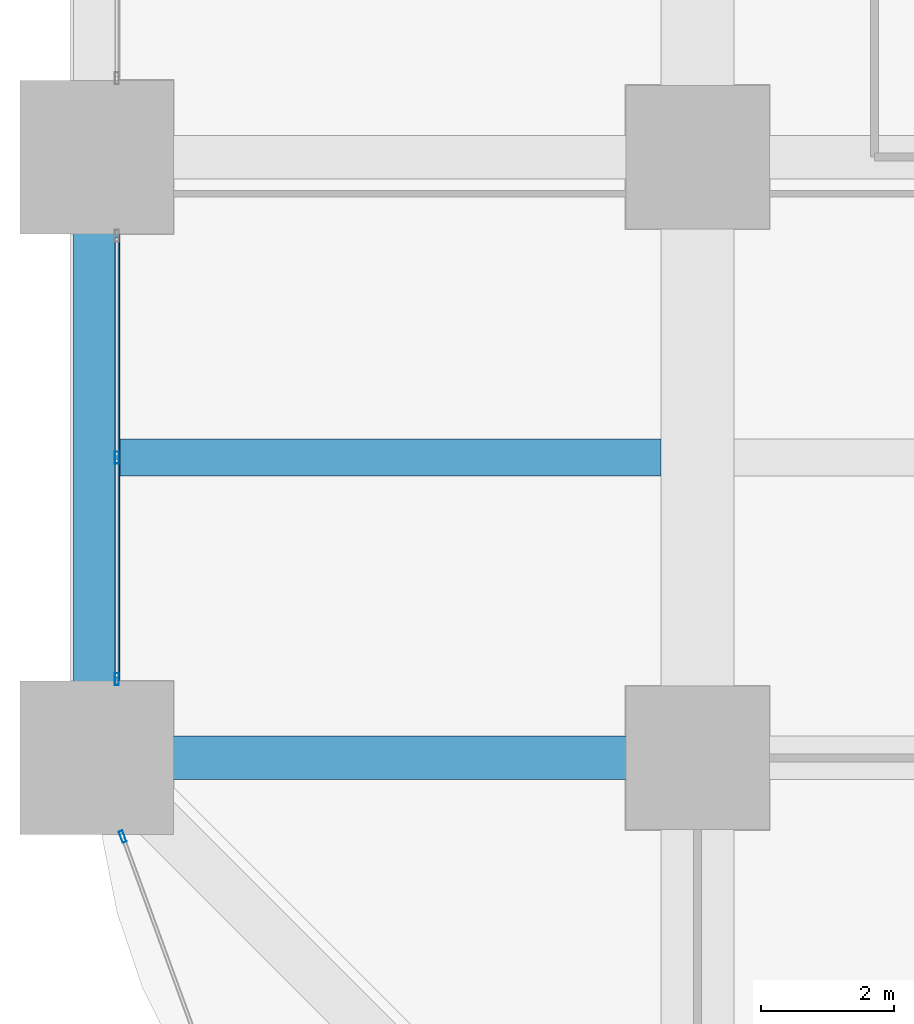
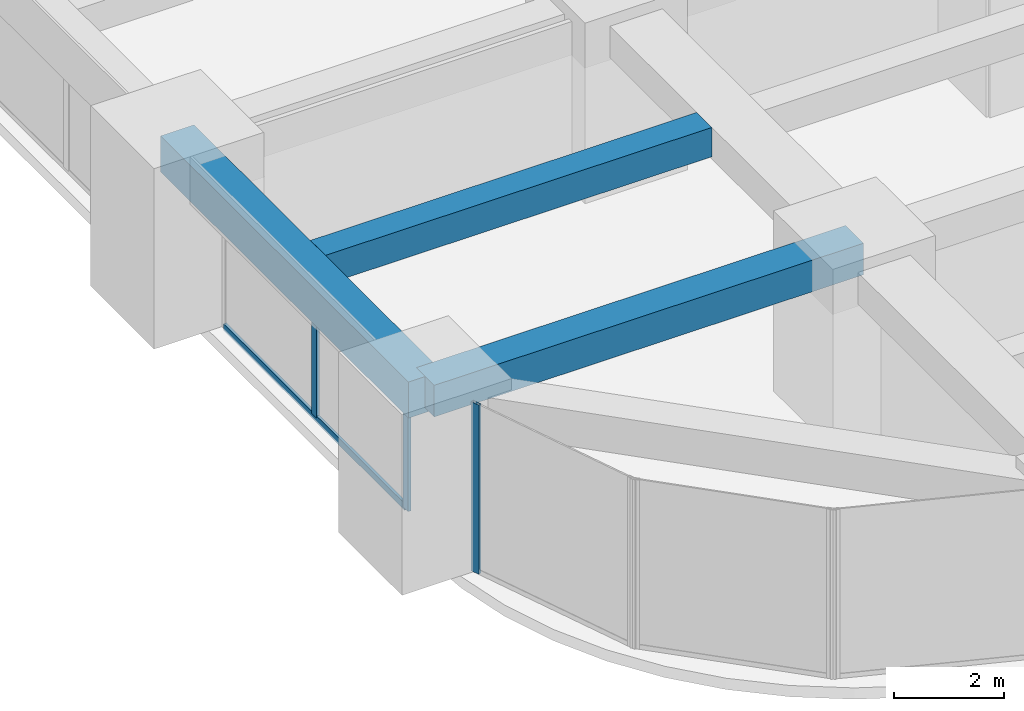
# One storey, part 4 of 44: 4 members, 3 beams, 2 elements without a shape of their own.
"""IFC4 building model written with IfcOpenShell, lengths in metres."""

from ifc_helpers import new_model, si_unit, direction, frame, origin, origin_2d, place, context, subcontext, project, spatial, rectangle, hollow_rectangle, extrude, material, material_profile, profile_set, type_object, element, aggregate, save


model = new_model("IFC4")

# Units and contexts
model_context = context("Model", 3, precision=1e-05, world=origin(), true_north=direction((0.0, 1.0)))
body_context = subcontext(model_context, "Body", "Model", "MODEL_VIEW")
ifc_project = project(units=[si_unit("LENGTHUNIT", "METRE"), si_unit("AREAUNIT", "SQUARE_METRE"), si_unit("VOLUMEUNIT", "CUBIC_METRE"), si_unit("PLANEANGLEUNIT", "RADIAN"), si_unit("MASSUNIT", "GRAM", prefix="KILO")], contexts=[model_context])

# Site, building, storey
site_placement = place(None, origin())
site = spatial("IfcSite", under=ifc_project, at=site_placement, CompositionType="ELEMENT")
building_placement = place(site_placement, origin())
building = spatial("IfcBuilding", under=site, at=building_placement, Name="Zorevar Civic Tower", CompositionType="ELEMENT")
storey_placement = place(building_placement, frame((0.0, 0.0, 51.800048828125)))
storey = spatial("IfcBuildingStorey", under=building, at=storey_placement, Name="L12", CompositionType="ELEMENT", Elevation=51.800048828125)

# Beams
ifc_material_1 = material(Name="Concrete C50/60", Category="concrete")
ifc_material_profile_1 = material_profile(ifc_material_1, rectangle(XDim=0.550048828125, YDim=0.64990234375, at=origin_2d()), Name="RC 550x650")
ifc_profile_set_1 = profile_set([ifc_material_profile_1], Name="Concrete C50/60")
beam_type_1 = type_object("IfcBeamType", Name="Beam RC 550x650", PredefinedType="BEAM", material=ifc_profile_set_1)
beam_1_placement = place(storey_placement, frame((0.35009765625, 13.5, 3.425048828125), z_axis=(1.0, 0.0, 0.0), x_axis=(0.0, 1.0, 0.0)))
element("IfcBeam", 1, at=beam_1_placement, inside=storey, type_object=beam_type_1, Name="Secondary beam L13", PredefinedType="BEAM", context=body_context, shape_type="SweptSolid", body=[
    extrude(rectangle(XDim=0.550048828125, YDim=0.64990234375, at=origin_2d()), origin(), (0.0, 0.0, 1.0), 8.099853515625),
])
ifc_material_2 = material(Name="Concrete C50/60", Category="concrete")
ifc_material_profile_2 = material_profile(ifc_material_2, rectangle(XDim=0.64990234375, YDim=0.699951171875, at=origin_2d()), Name="RC 650x700")
ifc_profile_set_2 = profile_set([ifc_material_profile_2], Name="Concrete C50/60")
beam_type_2 = type_object("IfcBeamType", Name="Beam RC 650x700", PredefinedType="BEAM", material=ifc_profile_set_2)
beam_2_placement = place(storey_placement, frame((0.0, 9.0, 3.39990234375), z_axis=(1.0, 0.0, 0.0), x_axis=(0.0, 1.0, 0.0)))
element("IfcBeam", 2, at=beam_2_placement, inside=storey, type_object=beam_type_2, Name="Girder L13", PredefinedType="BEAM", context=body_context, shape_type="SweptSolid", body=[
    extrude(rectangle(XDim=0.64990234375, YDim=0.699951171875, at=origin_2d()), origin(), (0.0, 0.0, 1.0), 9.0),
])

# Curtain wall, members
ifc_material_3 = material(Name="Dark grey solar-control glass in black aluminium frame", Category="aluminium")
curtain_wall_type = type_object("IfcCurtainWallType", Name="Curtain wall CW2 low zone", PredefinedType="NOTDEFINED", material=ifc_material_3)
curtain_wall_1_placement = place(storey_placement, origin())
curtain_wall_1 = element("IfcCurtainWall", 3, at=curtain_wall_1_placement, inside=storey, type_object=curtain_wall_type, Name="CW2 L12", PredefinedType="NOTDEFINED")
ifc_material_4 = material(Name="Aluminium, black anodised", Category="aluminium")
ifc_material_profile_3 = material_profile(ifc_material_4, hollow_rectangle(XDim=0.06005859375, YDim=0.179931640625, WallThickness=0.00390625, at=origin_2d()), Name="AL 180x60x4")
ifc_profile_set_3 = profile_set([ifc_material_profile_3], Name="Aluminium, black anodised")
member_type_1 = type_object("IfcMemberType", Name="CW2 mullion AL 180x60x4", PredefinedType="MULLION", material=ifc_profile_set_3)
member_1_placement = place(storey_placement, frame((0.300048828125, 10.179931640625, 0.0), z_axis=(0.0, 0.0, 1.0), x_axis=(-1.0, 0.0, 0.0)))
member_1 = element("IfcMember", 4, at=member_1_placement, type_object=member_type_1, Name="CW2 mullion 1", PredefinedType="MULLION", context=body_context, shape_type="SweptSolid", body=[
    extrude(hollow_rectangle(XDim=0.06005859375, YDim=0.179931640625, WallThickness=0.00390625, at=origin_2d()), origin(), (0.0, 0.0, 1.0), 2.949951171875),
])
member_2_placement = place(storey_placement, frame((0.300048828125, 13.5, 0.06005859375), z_axis=(0.0, 0.0, 1.0), x_axis=(-1.0, 0.0, 0.0)))
member_2 = element("IfcMember", 5, at=member_2_placement, type_object=member_type_1, Name="CW2 mullion 2", PredefinedType="MULLION", context=body_context, shape_type="SweptSolid", body=[
    extrude(hollow_rectangle(XDim=0.06005859375, YDim=0.179931640625, WallThickness=0.00390625, at=origin_2d()), origin(), (0.0, 0.0, 1.0), 2.889892578125),
])

# Curtain wall, member
curtain_wall_2_placement = place(storey_placement, origin())
curtain_wall_2 = element("IfcCurtainWall", 6, at=curtain_wall_2_placement, inside=storey, type_object=curtain_wall_type, Name="CW2 L12", PredefinedType="NOTDEFINED")
member_3_placement = place(storey_placement, frame((0.38671875, 7.82177734375, 0.0), z_axis=(0.0, 0.0, 1.0), x_axis=(0.939313345732, 0.343060400701, 0.0)))
member_3 = element("IfcMember", 7, at=member_3_placement, type_object=member_type_1, Name="CW2 mullion 1", PredefinedType="MULLION", context=body_context, shape_type="SweptSolid", body=[
    extrude(hollow_rectangle(XDim=0.06005859375, YDim=0.179931640625, WallThickness=0.00390625, at=origin_2d()), origin(), (0.0, 0.0, 1.0), 3.75),
])
aggregate(curtain_wall_2, [member_3])

# Member
ifc_material_5 = material(Name="Aluminium, black anodised", Category="aluminium")
ifc_material_profile_4 = material_profile(ifc_material_5, hollow_rectangle(XDim=0.06005859375, YDim=0.14990234375, WallThickness=0.00390625, at=origin_2d()), Name="AL 150x60x4")
ifc_profile_set_4 = profile_set([ifc_material_profile_4], Name="Aluminium, black anodised")
member_type_2 = type_object("IfcMemberType", Name="CW2 transom AL 150x60x4", PredefinedType="USERDEFINED", material=ifc_profile_set_4)
member_4_placement = place(storey_placement, frame((0.300048828125, 10.2099609375, 0.030029296875), z_axis=(0.0, 1.0, 0.0), x_axis=(-1.0, 0.0, 0.0)))
member_4 = element("IfcMember", 8, at=member_4_placement, type_object=member_type_2, Name="CW2 sill transom", ObjectType="TRANSOM", PredefinedType="USERDEFINED", context=body_context, shape_type="SweptSolid", body=[
    extrude(hollow_rectangle(XDim=0.06005859375, YDim=0.14990234375, WallThickness=0.00390625, at=origin_2d()), origin(), (0.0, 0.0, 1.0), 6.580078125),
])

aggregate(curtain_wall_1, [member_1, member_2, member_4])

# Beam
ifc_material_6 = material(Name="Concrete C50/60", Category="concrete")
ifc_material_profile_5 = material_profile(ifc_material_6, rectangle(XDim=0.699951171875, YDim=0.800048828125, at=origin_2d()), Name="RC 700x800")
ifc_profile_set_5 = profile_set([ifc_material_profile_5], Name="Concrete C50/60")
beam_type_3 = type_object("IfcBeamType", Name="Edge beam RC 700x800", PredefinedType="SPANDREL", material=ifc_profile_set_5)
beam_3_placement = place(storey_placement, frame((0.0, 9.0, 3.349853515625), z_axis=(0.0, 1.0, 0.0), x_axis=(-1.0, 0.0, 0.0)))
element("IfcBeam", 9, at=beam_3_placement, inside=storey, type_object=beam_type_3, Name="Edge beam L13", PredefinedType="SPANDREL", context=body_context, shape_type="SweptSolid", body=[
    extrude(rectangle(XDim=0.699951171875, YDim=0.800048828125, at=origin_2d()), origin(), (0.0, 0.0, 1.0), 9.0),
])

save(model, "model.ifc")
